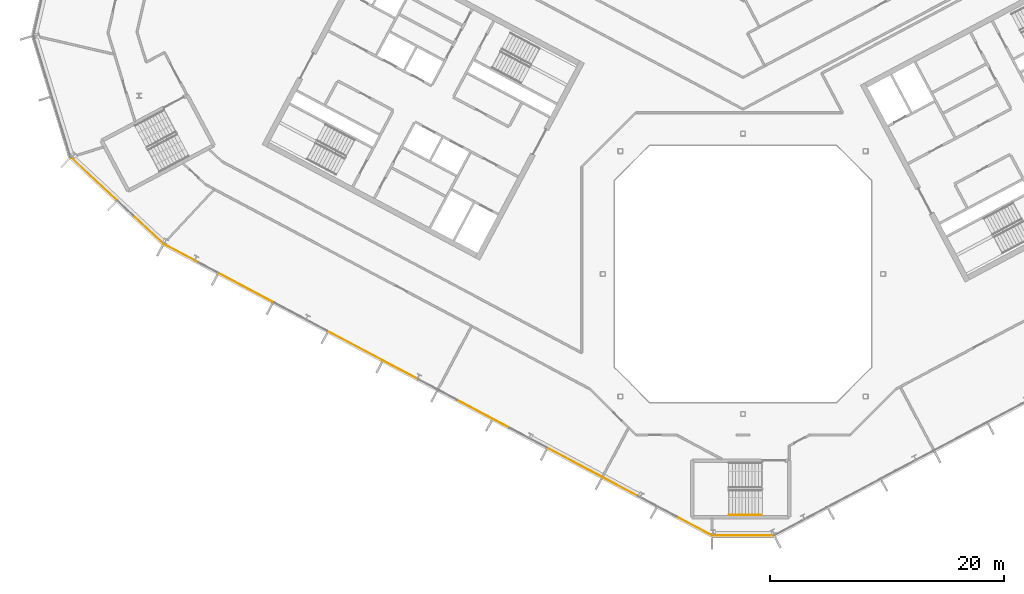
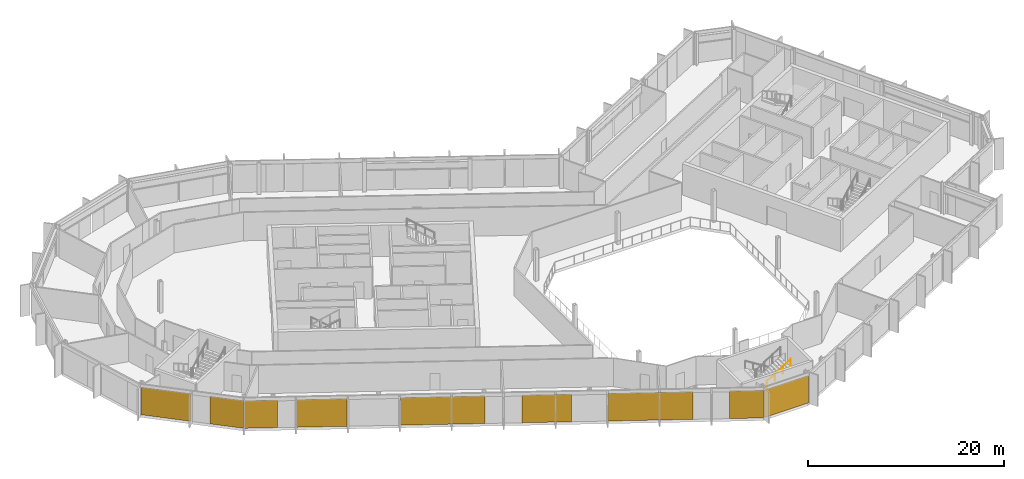
# One storey, part 18 of 25: 9 coverings, 1 railing, 3 elements without a shape of their own.
"""IFC4 building model written with IfcOpenShell, lengths in metres."""

import ifcopenshell
import ifcopenshell.guid

model = None  # the IFC model being written
_history = None  # IfcOwnerHistory: only IFC2X3 demands one
_inside = {}  # id of a spatial element -> (the spatial element, [elements in it])
_under = {}  # id of a project, library or spatial element -> (it, [spatial elements below it])
_declared = {}  # id of a project -> (the project, [libraries it declares])
_typed = {}  # id of a type object -> (the type object, [elements of that type])
_made_of = {}  # id of a material, layer set ... -> (it, [elements and type objects made of it])


def new_model(schema):
    """Start an empty IFC model of exactly this schema.

    Asked for "IFC4X3", IfcOpenShell would pick the latest addendum, in which some entities
    have other attributes; the version numbers below select the first issue.
    IFC2X3 requires an IfcOwnerHistory on every rooted entity: one is made here for all.
    """
    global model, _history
    if schema == "IFC4X3":
        model = ifcopenshell.file(schema_version=(4, 3, 0, 0))
    else:
        model = ifcopenshell.file(schema=schema)
    _inside.clear()
    _under.clear()
    _declared.clear()
    _typed.clear()
    _made_of.clear()
    _history = None
    if model.schema == "IFC2X3":
        org = make("IfcOrganization", Name="unknown")
        user = make(
            "IfcPersonAndOrganization",
            ThePerson=make("IfcPerson", FamilyName="unknown"),
            TheOrganization=org,
        )
        app = make(
            "IfcApplication",
            ApplicationDeveloper=org,
            Version="unknown",
            ApplicationFullName="unknown",
            ApplicationIdentifier="unknown",
        )
        _history = make(
            "IfcOwnerHistory",
            OwningUser=user,
            OwningApplication=app,
            ChangeAction="ADDED",
            CreationDate=0,
        )
    return model


def make(cls, **values):
    """One entity of the class cls with the attributes given. An attribute that is None is left unset."""
    return model.create_entity(
        cls, **{name: value for name, value in values.items() if value is not None}
    )


def rooted(cls, **values):
    """An entity with a GlobalId (a new one), such as an element, a storey or a relation."""
    return make(cls, GlobalId=ifcopenshell.guid.new(), OwnerHistory=_history, **values)


def si_unit(unit_type, name, prefix=None):
    """IfcSIUnit, for example si_unit("LENGTHUNIT", "METRE", prefix="MILLI")."""
    return make("IfcSIUnit", UnitType=unit_type, Prefix=prefix, Name=name)


def assignment(units):
    """IfcUnitAssignment: the units of a project."""
    return None if units is None else make("IfcUnitAssignment", Units=units)


def point(xyz):
    """IfcCartesianPoint."""
    return None if xyz is None else make("IfcCartesianPoint", Coordinates=xyz)


def direction(xyz):
    """IfcDirection."""
    return None if xyz is None else make("IfcDirection", DirectionRatios=xyz)


def frame(location, z_axis=None, x_axis=None):
    """IfcAxis2Placement3D, a coordinate frame: its origin and axes. An axis left out is left unset."""
    return make(
        "IfcAxis2Placement3D",
        Location=point(location),
        Axis=direction(z_axis),
        RefDirection=direction(x_axis),
    )


def frame_2d(location, x_axis=None):
    """IfcAxis2Placement2D, a coordinate frame in the plane: its origin and x axis."""
    return make(
        "IfcAxis2Placement2D", Location=point(location), RefDirection=direction(x_axis)
    )


def origin():
    """The frame at (0, 0, 0) with its axes left unset."""
    return frame((0.0, 0.0, 0.0))


def origin_2d():
    """The frame at (0, 0) in the plane with its x axis left unset."""
    return frame_2d((0.0, 0.0))


def place(relative_to, where):
    """IfcLocalPlacement: puts the frame where relative to a parent placement (None: the world)."""
    return make(
        "IfcLocalPlacement", PlacementRelTo=relative_to, RelativePlacement=where
    )


def context(
    kind, dimensions, precision=None, world=None, true_north=None, identifier=None
):
    """IfcGeometricRepresentationContext, for example the 3D "Model" context."""
    return make(
        "IfcGeometricRepresentationContext",
        ContextIdentifier=identifier,
        ContextType=kind,
        CoordinateSpaceDimension=dimensions,
        Precision=precision,
        WorldCoordinateSystem=world,
        TrueNorth=true_north,
    )


def subcontext(parent, identifier, kind, view, scale=None):
    """IfcGeometricRepresentationSubContext, for example "Body" below "Model"."""
    return make(
        "IfcGeometricRepresentationSubContext",
        ContextIdentifier=identifier,
        ContextType=kind,
        ParentContext=parent,
        TargetScale=scale,
        TargetView=view,
    )


def project(units=None, contexts=None):
    """IfcProject with its units and contexts."""
    return rooted(
        "IfcProject",
        Name="project",
        RepresentationContexts=contexts,
        UnitsInContext=assignment(units),
    )


def spatial(cls, under=None, at=None, **own):
    """A site, building, storey or space (cls), placed at a placement, below another one or the project."""
    s = rooted(cls, ObjectPlacement=at, **own)
    if under is not None:
        _under.setdefault(under.id(), (under, []))[1].append(s)
    return s


def polyline(points):
    """IfcPolyline through the points."""
    return make("IfcPolyline", Points=[point(p) for p in points])


def profile(cls, at=None, kind="AREA", **sizes):
    """A parametric profile (cls). Its sizes go by their IFC names, for example OverallWidth=200.0."""
    return make(cls, ProfileType=kind, Position=at, **sizes)


def rectangle(**sizes):
    """IfcRectangleProfileDef."""
    return profile("IfcRectangleProfileDef", **sizes)


def outline(outer, holes=None, kind="AREA"):
    """IfcArbitraryClosedProfileDef: a profile drawn as a closed curve; with holes, ...WithVoids."""
    if holes is None:
        return make("IfcArbitraryClosedProfileDef", ProfileType=kind, OuterCurve=outer)
    return make(
        "IfcArbitraryProfileDefWithVoids",
        ProfileType=kind,
        OuterCurve=outer,
        InnerCurves=holes,
    )


def extrude(swept, where, along, depth):
    """IfcExtrudedAreaSolid: the profile swept, set in the frame where, extruded along a direction by depth."""
    return make(
        "IfcExtrudedAreaSolid",
        SweptArea=swept,
        Position=where,
        ExtrudedDirection=direction(along),
        Depth=depth,
    )


def shape(context_of_items, identifier, shape_type, items):
    """IfcShapeRepresentation: the items that make up one representation, for example the "Body"."""
    return make(
        "IfcShapeRepresentation",
        ContextOfItems=context_of_items,
        RepresentationIdentifier=identifier,
        RepresentationType=shape_type,
        Items=items,
    )


def material(Name=None, Category=None):
    """IfcMaterial."""
    return make("IfcMaterial", Name=Name, Category=Category)


def layer(
    of_material, thickness, ventilated=None, Name=None, Category=None, Priority=None
):
    """IfcMaterialLayer: one layer of a wall or slab, of a material (None: an air gap)."""
    return make(
        "IfcMaterialLayer",
        Material=of_material,
        LayerThickness=thickness,
        IsVentilated=ventilated,
        Name=Name,
        Category=Category,
        Priority=Priority,
    )


def layer_set(layers, Name=None):
    """IfcMaterialLayerSet."""
    return make("IfcMaterialLayerSet", MaterialLayers=layers, LayerSetName=Name)


def made_of(thing, what):
    """Note that an element or type object is made of a material, layer set ...; save() writes the relation."""
    if what is not None:
        _made_of.setdefault(what.id(), (what, []))[1].append(thing)
    return thing


def type_object(cls, material=None, **own):
    """A type object (cls), such as IfcWallType, which elements share."""
    return made_of(rooted(cls, **own), material)


def element(
    cls,
    number,
    at=None,
    inside=None,
    cuts=None,
    type_object=None,
    material=None,
    context=None,
    identifier="Body",
    shape_type=None,
    held_by="IfcProductDefinitionShape",
    body=None,
    shapes=None,
    **own,
):
    """One element of the class cls, such as IfcWall. Its Tag is "e" and its number.

    at: its placement. inside: the storey or other place that contains it. cuts: it is an
    opening in that element (IfcRelVoidsElement). A single representation is given by context,
    identifier, shape_type and body (its items); several are given by shapes. held_by: the class
    of the entity that holds the representations. save() writes the other relations.
    """
    e = rooted(cls, Tag="e%d" % number, ObjectPlacement=at, **own)
    if body is not None:
        shapes = [shape(context, identifier, shape_type, body)]
    if shapes is not None:
        e.Representation = make(held_by, Representations=shapes)
    if inside is not None:
        _inside.setdefault(inside.id(), (inside, []))[1].append(e)
    if cuts is not None:
        rooted(
            "IfcRelVoidsElement", RelatingBuildingElement=cuts, RelatedOpeningElement=e
        )
    if type_object is not None:
        _typed.setdefault(type_object.id(), (type_object, []))[1].append(e)
    return made_of(e, material)


def aggregate(whole, parts):
    """IfcRelAggregates: a whole, such as a stair, and the parts it consists of."""
    return rooted("IfcRelAggregates", RelatingObject=whole, RelatedObjects=parts)


def save(model, path):
    """Write the relations noted so far, then the file.

    IfcRelAggregates (storeys below a building ...), IfcRelContainedInSpatialStructure (elements
    in a storey), IfcRelDefinesByType, IfcRelAssociatesMaterial and IfcRelDeclares: one each for
    every whole, place, type object, material and project.
    """
    for whole, parts in _under.values():
        aggregate(whole, parts)
    for where, things in _inside.values():
        rooted(
            "IfcRelContainedInSpatialStructure",
            RelatedElements=things,
            RelatingStructure=where,
        )
    for kind, things in _typed.values():
        rooted("IfcRelDefinesByType", RelatedObjects=things, RelatingType=kind)
    for what, things in _made_of.values():
        rooted("IfcRelAssociatesMaterial", RelatedObjects=things, RelatingMaterial=what)
    for by, libraries in _declared.values():
        rooted("IfcRelDeclares", RelatingContext=by, RelatedDefinitions=libraries)
    model.write(path)


model = new_model("IFC4")

# Units and contexts
model_context = context("Model", 3, precision=1e-05, world=origin(), true_north=direction((0.0, 1.0)))
body_context = subcontext(model_context, "Body", "Model", "MODEL_VIEW")
ifc_project = project(units=[si_unit("LENGTHUNIT", "METRE"), si_unit("AREAUNIT", "SQUARE_METRE"), si_unit("VOLUMEUNIT", "CUBIC_METRE"), si_unit("PLANEANGLEUNIT", "RADIAN"), si_unit("MASSUNIT", "GRAM", prefix="KILO")], contexts=[model_context])

# Site, building, storey
site_placement = place(None, origin())
site = spatial("IfcSite", under=ifc_project, at=site_placement, CompositionType="ELEMENT")
building_placement = place(site_placement, origin())
building = spatial("IfcBuilding", under=site, at=building_placement, Name="Cormorant Relay Tower", CompositionType="ELEMENT")
storey_placement = place(building_placement, frame((0.0, 0.0, 289.199951171875)))
storey = spatial("IfcBuildingStorey", under=building, at=storey_placement, Name="L65", CompositionType="ELEMENT", Elevation=289.199951171875)

# Curtain wall, covering
ifc_material_1 = material(Name="Aluminium 6063-T6 anodised bronze", Category="aluminium")
ifc_layer_1 = layer(ifc_material_1, 0.199951171875)
ifc_layer_set_1 = layer_set([ifc_layer_1], Name="CW1 unitised bronze curtain wall with vertical fins")
curtain_wall_type = type_object("IfcCurtainWallType", Name="CW1 unitised bronze curtain wall with vertical fins", PredefinedType="NOTDEFINED", material=ifc_layer_set_1)
curtain_wall_1_placement = place(storey_placement, origin())
curtain_wall_1 = element("IfcCurtainWall", 1, at=curtain_wall_1_placement, inside=storey, type_object=curtain_wall_type, Name="CW1 curtain wall 1", PredefinedType="NOTDEFINED")
ifc_material_2 = material(Name="Pale bronze anodised aluminium insulated panel", Category="aluminium")
ifc_layer_2 = layer(ifc_material_2, 0.0400390625)
ifc_layer_set_2 = layer_set([ifc_layer_2], Name="CW1 pale bronze insulated panel 40")
covering_type = type_object("IfcCoveringType", Name="CW1 pale bronze insulated panel 40", PredefinedType="CLADDING", material=ifc_layer_set_2)
covering_1_placement = place(storey_placement, frame((0.03759765625, -22.3955078125, 0.0), z_axis=(0.0, 0.0, 1.0), x_axis=(1.0, 0.0, 0.0)))
covering_1 = element("IfcCovering", 2, at=covering_1_placement, type_object=covering_type, Name="CW1 panel S00", PredefinedType="CLADDING", context=body_context, shape_type="SweptSolid", body=[
    extrude(rectangle(XDim=5.22265625, YDim=0.0400390625, at=origin_2d()), origin(), (0.0, 0.0, 1.0), 3.449951171875),
])
aggregate(curtain_wall_1, [covering_1])

# Curtain wall, coverings
curtain_wall_2_placement = place(storey_placement, origin())
curtain_wall_2 = element("IfcCurtainWall", 3, at=curtain_wall_2_placement, inside=storey, type_object=curtain_wall_type, Name="CW1 curtain wall 15", PredefinedType="NOTDEFINED")
covering_2_placement = place(storey_placement, frame((-55.56787109375, 8.1298828125, 0.0), z_axis=(0.0, 0.0, 1.0), x_axis=(0.731353701619, -0.681998360062, 0.0)))
covering_2 = element("IfcCovering", 4, at=covering_2_placement, type_object=covering_type, Name="CW1 panel S00", PredefinedType="CLADDING", context=body_context, shape_type="SweptSolid", body=[
    extrude(rectangle(XDim=5.28515625, YDim=0.0400390625, at=origin_2d()), origin(), (0.0, 0.0, 1.0), 3.449951171875),
])
covering_3_placement = place(storey_placement, frame((-50.906982421875, 3.78369140625, 0.0), z_axis=(0.0, 0.0, 1.0), x_axis=(0.731353701619, -0.681998360062, 0.0)))
covering_3 = element("IfcCovering", 5, at=covering_3_placement, type_object=covering_type, Name="CW1 panel S02", PredefinedType="CLADDING", context=body_context, shape_type="SweptSolid", body=[
    extrude(rectangle(XDim=3.560302734375, YDim=0.0400390625, at=origin_2d()), origin(), (0.0, 0.0, 1.0), 3.449951171875),
])
aggregate(curtain_wall_2, [covering_2, covering_3])

curtain_wall_3_placement = place(storey_placement, origin())
curtain_wall_3 = element("IfcCurtainWall", 6, at=curtain_wall_3_placement, inside=storey, type_object=curtain_wall_type, Name="CW1 curtain wall 16", PredefinedType="NOTDEFINED")
covering_4_placement = place(storey_placement, frame((-48.048583984375, 1.7412109375, 0.0), z_axis=(0.0, 0.0, 1.0), x_axis=(0.882947592859, -0.469471562786, 0.0)))
covering_4 = element("IfcCovering", 7, at=covering_4_placement, type_object=covering_type, Name="CW1 panel S00", PredefinedType="CLADDING", context=body_context, shape_type="SweptSolid", body=[
    extrude(rectangle(XDim=3.36669921875, YDim=0.0400390625, at=origin_2d()), origin(), (0.0, 0.0, 1.0), 3.449951171875),
])
covering_5_placement = place(storey_placement, frame((-42.5595703125, -1.17724609375, 0.0), z_axis=(0.0, 0.0, 1.0), x_axis=(0.882947592859, -0.469471562786, 0.0)))
covering_5 = element("IfcCovering", 8, at=covering_5_placement, type_object=covering_type, Name="CW1 panel S02", PredefinedType="CLADDING", context=body_context, shape_type="SweptSolid", body=[
    extrude(rectangle(XDim=5.16650390625, YDim=0.0400390625, at=origin_2d()), origin(), (0.0, 0.0, 1.0), 3.449951171875),
])
covering_6_placement = place(storey_placement, frame((-31.618408203125, -6.994873046875, 0.0), z_axis=(0.0, 0.0, 1.0), x_axis=(0.882947592859, -0.469471562786, 0.0)))
covering_6 = element("IfcCovering", 9, at=covering_6_placement, type_object=covering_type, Name="CW1 panel S04", PredefinedType="CLADDING", context=body_context, shape_type="SweptSolid", body=[
    extrude(rectangle(XDim=8.68310546875, YDim=0.0400390625, at=origin_2d()), origin(), (0.0, 0.0, 1.0), 3.449951171875),
])
covering_7_placement = place(storey_placement, frame((-22.22998046875, -11.98681640625, 0.0), z_axis=(0.0, 0.0, 1.0), x_axis=(0.882947592859, -0.469471562786, 0.0)))
covering_7 = element("IfcCovering", 10, at=covering_7_placement, type_object=covering_type, Name="CW1 panel S07", PredefinedType="CLADDING", context=body_context, shape_type="SweptSolid", body=[
    extrude(rectangle(XDim=5.083251953125, YDim=0.0400390625, at=origin_2d()), origin(), (0.0, 0.0, 1.0), 3.449951171875),
])
covering_8_placement = place(storey_placement, frame((-12.84130859375, -16.978759765625, 0.0), z_axis=(0.0, 0.0, 1.0), x_axis=(0.882947592859, -0.469471562786, 0.0)))
covering_8 = element("IfcCovering", 11, at=covering_8_placement, type_object=covering_type, Name="CW1 panel S09", PredefinedType="CLADDING", context=body_context, shape_type="SweptSolid", body=[
    extrude(rectangle(XDim=8.68310546875, YDim=0.0400390625, at=origin_2d()), origin(), (0.0, 0.0, 1.0), 3.449951171875),
])
covering_9_placement = place(storey_placement, frame((-4.177490234375, -21.58544921875, 0.0), z_axis=(0.0, 0.0, 1.0), x_axis=(0.882947592859, -0.469471562786, 0.0)))
covering_9 = element("IfcCovering", 12, at=covering_9_placement, type_object=covering_type, Name="CW1 panel S12", PredefinedType="CLADDING", context=body_context, shape_type="SweptSolid", body=[
    extrude(rectangle(XDim=3.441650390625, YDim=0.0400390625, at=origin_2d()), origin(), (0.0, 0.0, 1.0), 3.449951171875),
])
aggregate(curtain_wall_3, [covering_4, covering_5, covering_6, covering_7, covering_8, covering_9])

# Railing
ifc_material_3 = material(Name="Steel ASTM A572 Grade 50 (Fy 345 MPa)", Category="steel")
railing_type = type_object("IfcRailingType", Name="Stair handrail 900", PredefinedType="HANDRAIL", material=ifc_material_3)
railing_placement = place(storey_placement, frame((-1.199951171875, -20.625, 2.12744140625)))
element("IfcRailing", 13, at=railing_placement, inside=storey, type_object=railing_type, Name="L65 RK1 stair handrail 2", PredefinedType="HANDRAIL", context=body_context, shape_type="SweptSolid", body=[
    extrude(outline(polyline([(0.022216796875, 0.00927734375), (0.00927734375, 0.022216796875), (-0.00927734375, 0.022216796875), (-0.022216796875, 0.00927734375), (-0.022216796875, -0.00927734375), (-0.00927734375, -0.022216796875), (0.00927734375, -0.022216796875), (0.022216796875, -0.00927734375), (0.022216796875, 0.00927734375)])), frame((0.0, 0.0, 0.8759765625), z_axis=(0.844908973607, 0.0, 0.534910110503), x_axis=(0.0, 1.0, 0.0)), (0.0, 0.0, 1.0), 3.31396484375),
    extrude(outline(polyline([(0.019287109375, 0.008056640625), (0.008056640625, 0.019287109375), (-0.008056640625, 0.019287109375), (-0.019287109375, 0.008056640625), (-0.019287109375, -0.008056640625), (-0.008056640625, -0.019287109375), (0.008056640625, -0.019287109375), (0.019287109375, -0.008056640625), (0.019287109375, 0.008056640625)])), origin(), (0.0, 0.0, 1.0), 0.851806640625),
    extrude(outline(polyline([(0.019287109375, 0.008056640625), (0.008056640625, 0.019287109375), (-0.008056640625, 0.019287109375), (-0.019287109375, 0.008056640625), (-0.019287109375, -0.008056640625), (-0.008056640625, -0.019287109375), (0.008056640625, -0.019287109375), (0.019287109375, -0.008056640625), (0.019287109375, 0.008056640625)])), frame((0.933349609375, 0.0, 0.5908203125)), (0.0, 0.0, 1.0), 0.851806640625),
    extrude(outline(polyline([(0.019287109375, 0.008056640625), (0.008056640625, 0.019287109375), (-0.008056640625, 0.019287109375), (-0.019287109375, 0.008056640625), (-0.019287109375, -0.008056640625), (-0.008056640625, -0.019287109375), (0.008056640625, -0.019287109375), (0.019287109375, -0.008056640625), (0.019287109375, 0.008056640625)])), frame((1.86669921875, 0.0, 1.181884765625)), (0.0, 0.0, 1.0), 0.851806640625),
    extrude(outline(polyline([(0.019287109375, 0.008056640625), (0.008056640625, 0.019287109375), (-0.008056640625, 0.019287109375), (-0.019287109375, 0.008056640625), (-0.019287109375, -0.008056640625), (-0.008056640625, -0.019287109375), (0.008056640625, -0.019287109375), (0.019287109375, -0.008056640625), (0.019287109375, 0.008056640625)])), frame((2.800048828125, 0.0, 1.772705078125)), (0.0, 0.0, 1.0), 0.851806640625),
])

save(model, "model.ifc")
